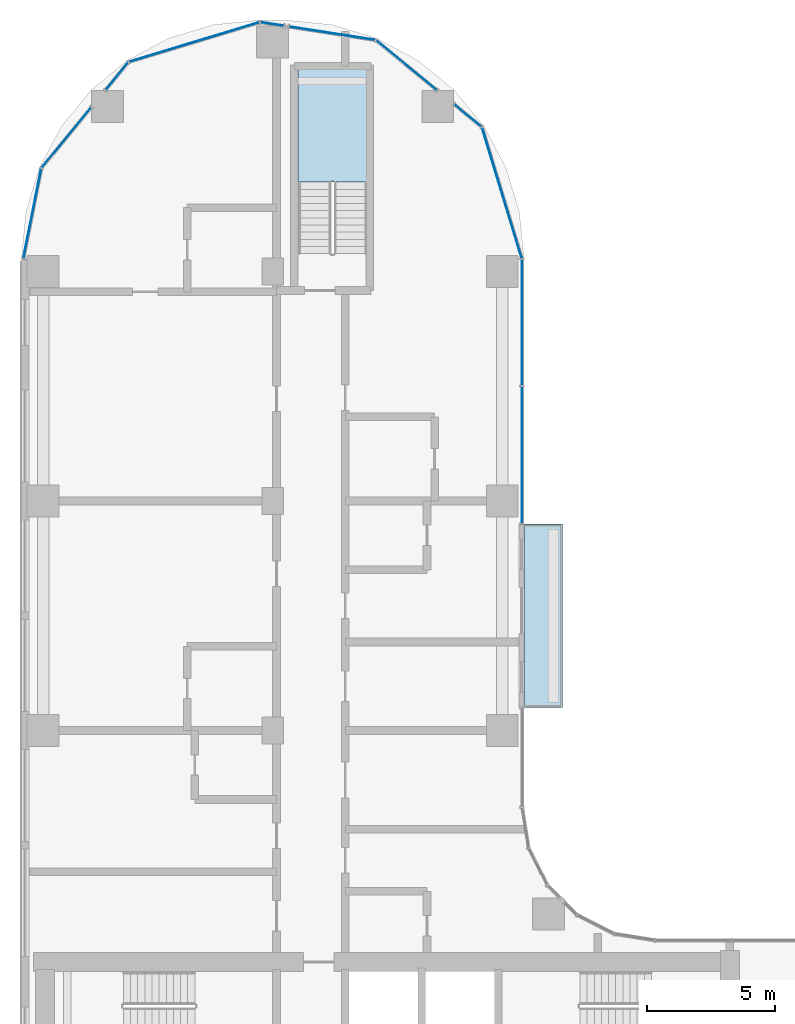
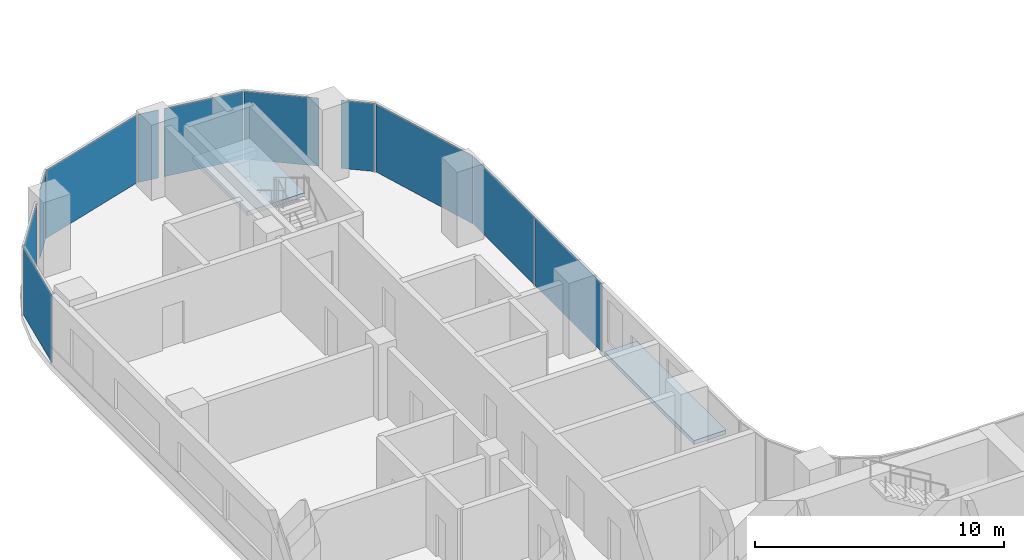
# One storey, part 16 of 35: 11 plates, 2 slabs, 6 elements without a shape of their own.
"""IFC4 building model written with IfcOpenShell, lengths in metres."""

from ifc_helpers import new_model, si_unit, direction, frame, origin, origin_2d, place, context, subcontext, project, spatial, polyline, rectangle, outline, extrude, material, layer, layer_set, type_object, element, aggregate, save


model = new_model("IFC4")

# Units and contexts
model_context = context("Model", 3, precision=1e-05, world=origin(), true_north=direction((0.0, 1.0)))
body_context = subcontext(model_context, "Body", "Model", "MODEL_VIEW")
ifc_project = project(units=[si_unit("LENGTHUNIT", "METRE"), si_unit("AREAUNIT", "SQUARE_METRE"), si_unit("VOLUMEUNIT", "CUBIC_METRE"), si_unit("PLANEANGLEUNIT", "RADIAN"), si_unit("MASSUNIT", "GRAM", prefix="KILO")], contexts=[model_context])

# Site, building, storey
site_placement = place(None, origin())
site = spatial("IfcSite", under=ifc_project, at=site_placement, CompositionType="ELEMENT")
building_placement = place(site_placement, origin())
building = spatial("IfcBuilding", under=site, at=building_placement, Name="Ogive Portal Towers", CompositionType="ELEMENT")
storey_placement = place(building_placement, frame((0.0, 0.0, 90.800048828125)))
storey = spatial("IfcBuildingStorey", under=building, at=storey_placement, Name="L21", CompositionType="ELEMENT", Elevation=90.800048828125)

# Slab
ifc_material_1 = material(Name="Concrete C40/50", Category="concrete")
ifc_layer_1 = layer(ifc_material_1, 0.199951171875)
ifc_layer_set_1 = layer_set([ifc_layer_1], Name="BALCONY SLAB 200")
slab_type_1 = type_object("IfcSlabType", Name="BALCONY SLAB 200", PredefinedType="FLOOR", material=ifc_layer_set_1)
slab_1_placement = place(storey_placement, frame((0.0, 0.0, -0.199951171875)))
element("IfcSlab", 1, at=slab_1_placement, inside=storey, type_object=slab_type_1, Name="Balcony S1", PredefinedType="FLOOR", context=body_context, shape_type="SweptSolid", body=[
    extrude(outline(polyline([(50.35498046875, 49.39990234375), (51.85498046875, 49.39990234375), (51.85498046875, 56.60009765625), (50.35498046875, 56.60009765625), (50.35498046875, 49.39990234375)])), origin(), (0.0, 0.0, 1.0), 0.199951171875),
])

# Curtain wall, plates
ifc_material_2 = material(Name="Glass, clear low-iron insulated glazing", Category="glass")
curtain_wall_type = type_object("IfcCurtainWallType", Name="CW FRONT RIBBON 4500", PredefinedType="NOTDEFINED", material=ifc_material_2)
curtain_wall_1_placement = place(storey_placement, origin())
curtain_wall_1 = element("IfcCurtainWall", 2, at=curtain_wall_1_placement, inside=storey, type_object=curtain_wall_type, Name="A:L21:f17:cw1", PredefinedType="NOTDEFINED")
ifc_layer_2 = layer(ifc_material_2, 0.028076171875)
ifc_layer_set_2 = layer_set([ifc_layer_2], Name="CW PANEL IGU 28")
plate_type = type_object("IfcPlateType", Name="CW PANEL IGU 28", PredefinedType="CURTAIN_PANEL", material=ifc_layer_set_2)
plate_1_placement = place(storey_placement, frame((50.27490234375, 59.29541015625, 0.0), z_axis=(0.0, 0.0, 1.0), x_axis=(0.0, 1.0, 0.0)))
plate_1 = element("IfcPlate", 3, at=plate_1_placement, type_object=plate_type, Name="panel", PredefinedType="CURTAIN_PANEL", context=body_context, shape_type="SweptSolid", body=[
    extrude(rectangle(XDim=5.34912109375, YDim=0.028076171875, at=origin_2d()), origin(), (0.0, 0.0, 1.0), 3.340087890625),
])
plate_2_placement = place(storey_placement, frame((50.27490234375, 64.494140625, 0.0), z_axis=(0.0, 0.0, 1.0), x_axis=(0.0, 1.0, 0.0)))
plate_2 = element("IfcPlate", 4, at=plate_2_placement, type_object=plate_type, Name="panel", PredefinedType="CURTAIN_PANEL", context=body_context, shape_type="SweptSolid", body=[
    extrude(rectangle(XDim=4.92822265625, YDim=0.028076171875, at=origin_2d()), origin(), (0.0, 0.0, 1.0), 3.340087890625),
])
aggregate(curtain_wall_1, [plate_1, plate_2])

curtain_wall_2_placement = place(storey_placement, origin())
curtain_wall_2 = element("IfcCurtainWall", 5, at=curtain_wall_2_placement, inside=storey, type_object=curtain_wall_type, Name="A:L21:f18:cwa~0", PredefinedType="NOTDEFINED")
plate_3_placement = place(storey_placement, frame((49.491943359375, 69.569580078125, 0.0), z_axis=(0.0, 0.0, 1.0), x_axis=(-0.290284677254, 0.956940335732, 0.0)))
plate_3 = element("IfcPlate", 6, at=plate_3_placement, type_object=plate_type, Name="panel", PredefinedType="CURTAIN_PANEL", context=body_context, shape_type="SweptSolid", body=[
    extrude(rectangle(XDim=5.335205078125, YDim=0.028076171875, at=origin_2d()), origin(), (0.0, 0.0, 1.0), 3.340087890625),
])
plate_4_placement = place(storey_placement, frame((48.153564453125, 72.606689453125, 0.0), z_axis=(0.0, 0.0, 1.0), x_axis=(-0.773010453363, 0.634393284164, 0.0)))
plate_4 = element("IfcPlate", 7, at=plate_4_placement, type_object=plate_type, Name="panel", PredefinedType="CURTAIN_PANEL", context=body_context, shape_type="SweptSolid", body=[
    extrude(rectangle(XDim=1.377197265625, YDim=0.028076171875, at=origin_2d()), origin(), (0.0, 0.0, 1.0), 3.340087890625),
])
aggregate(curtain_wall_2, [plate_3, plate_4])

curtain_wall_3_placement = place(storey_placement, origin())
curtain_wall_3 = element("IfcCurtainWall", 8, at=curtain_wall_3_placement, inside=storey, type_object=curtain_wall_type, Name="A:L21:f18:cwa~1", PredefinedType="NOTDEFINED")
plate_5_placement = place(storey_placement, frame((45.745849609375, 74.58251953125, 0.0), z_axis=(0.0, 0.0, 1.0), x_axis=(-0.773010453363, 0.634393284164, 0.0)))
plate_5 = element("IfcPlate", 9, at=plate_5_placement, type_object=plate_type, Name="panel", PredefinedType="CURTAIN_PANEL", context=body_context, shape_type="SweptSolid", body=[
    extrude(rectangle(XDim=3.0439453125, YDim=0.028076171875, at=origin_2d()), origin(), (0.0, 0.0, 1.0), 3.340087890625),
])
plate_6_placement = place(storey_placement, frame((42.83544921875, 75.833251953125, 0.0), z_axis=(0.0, 0.0, 1.0), x_axis=(-0.988127542509, 0.153635802256, 0.0)))
plate_6 = element("IfcPlate", 10, at=plate_6_placement, type_object=plate_type, Name="panel", PredefinedType="CURTAIN_PANEL", context=body_context, shape_type="SweptSolid", body=[
    extrude(rectangle(XDim=3.40234375, YDim=0.028076171875, at=origin_2d()), origin(), (0.0, 0.0, 1.0), 3.340087890625),
])
aggregate(curtain_wall_3, [plate_5, plate_6])

curtain_wall_4_placement = place(storey_placement, origin())
curtain_wall_4 = element("IfcCurtainWall", 11, at=curtain_wall_4_placement, inside=storey, type_object=curtain_wall_type, Name="A:L21:f18:cwa~2", PredefinedType="NOTDEFINED")
plate_7_placement = place(storey_placement, frame((40.482177734375, 76.198974609375, 0.0), z_axis=(0.0, 0.0, 1.0), x_axis=(-0.988127542509, 0.153635802256, 0.0)))
plate_7 = element("IfcPlate", 12, at=plate_7_placement, type_object=plate_type, Name="panel", PredefinedType="CURTAIN_PANEL", context=body_context, shape_type="SweptSolid", body=[
    extrude(rectangle(XDim=0.904296875, YDim=0.028076171875, at=origin_2d()), origin(), (0.0, 0.0, 1.0), 3.340087890625),
])
plate_8_placement = place(storey_placement, frame((37.427490234375, 75.490966796875, 0.0), z_axis=(0.0, 0.0, 1.0), x_axis=(-0.956940335732, -0.290284677254, 0.0)))
plate_8 = element("IfcPlate", 13, at=plate_8_placement, type_object=plate_type, Name="panel", PredefinedType="CURTAIN_PANEL", context=body_context, shape_type="SweptSolid", body=[
    extrude(rectangle(XDim=5.32861328125, YDim=0.028076171875, at=origin_2d()), origin(), (0.0, 0.0, 1.0), 3.340087890625),
])
plate_9_placement = place(storey_placement, frame((34.393310546875, 74.153564453125, 0.0), z_axis=(0.0, 0.0, 1.0), x_axis=(-0.634393284164, -0.773010453363, 0.0)))
plate_9 = element("IfcPlate", 14, at=plate_9_placement, type_object=plate_type, Name="panel", PredefinedType="CURTAIN_PANEL", context=body_context, shape_type="SweptSolid", body=[
    extrude(rectangle(XDim=1.377197265625, YDim=0.028076171875, at=origin_2d()), origin(), (0.0, 0.0, 1.0), 3.340087890625),
])
aggregate(curtain_wall_4, [plate_7, plate_8, plate_9])

curtain_wall_5_placement = place(storey_placement, origin())
curtain_wall_5 = element("IfcCurtainWall", 15, at=curtain_wall_5_placement, inside=storey, type_object=curtain_wall_type, Name="A:L21:f18:cwa~3", PredefinedType="NOTDEFINED")
plate_10_placement = place(storey_placement, frame((32.416748046875, 71.7451171875, 0.0), z_axis=(0.0, 0.0, 1.0), x_axis=(-0.634393284164, -0.773010453363, 0.0)))
plate_10 = element("IfcPlate", 16, at=plate_10_placement, type_object=plate_type, Name="panel", PredefinedType="CURTAIN_PANEL", context=body_context, shape_type="SweptSolid", body=[
    extrude(rectangle(XDim=3.0458984375, YDim=0.028076171875, at=origin_2d()), origin(), (0.0, 0.0, 1.0), 3.340087890625),
])
plate_11_placement = place(storey_placement, frame((31.078369140625, 68.768310546875, 0.0), z_axis=(0.0, 0.0, 1.0), x_axis=(-0.195090322016, -0.980785280403, 0.0)))
plate_11 = element("IfcPlate", 17, at=plate_11_placement, type_object=plate_type, Name="panel", PredefinedType="CURTAIN_PANEL", context=body_context, shape_type="SweptSolid", body=[
    extrude(rectangle(XDim=3.562255859375, YDim=0.028076171875, at=origin_2d()), origin(), (0.0, 0.0, 1.0), 3.340087890625),
])
aggregate(curtain_wall_5, [plate_10, plate_11])

# Stair, slab
stair_type = type_object("IfcStairType", Name="INT-STAIR", PredefinedType="HALF_TURN_STAIR", material=ifc_material_1)
stair_placement = place(storey_placement, origin())
stair = element("IfcStair", 18, at=stair_placement, inside=storey, type_object=stair_type, Name="L21 Exit Stair ST-A3", PredefinedType="HALF_TURN_STAIR")
ifc_layer_3 = layer(ifc_material_1, 0.199951171875)
ifc_layer_set_3 = layer_set([ifc_layer_3], Name="INT-LANDING")
slab_type_2 = type_object("IfcSlabType", Name="INT-LANDING", PredefinedType="LANDING", material=ifc_layer_set_3)
slab_2_placement = place(storey_placement, frame((0.0, 0.0, 1.64990234375)))
slab_2 = element("IfcSlab", 19, at=slab_2_placement, type_object=slab_type_2, Name="ST-A3 landing 1", PredefinedType="LANDING", context=body_context, shape_type="SweptSolid", body=[
    extrude(outline(polyline([(44.199951171875, 70.0), (44.199951171875, 74.449951171875), (41.5, 74.449951171875), (41.5, 70.0), (44.199951171875, 70.0)])), origin(), (0.0, 0.0, 1.0), 0.199951171875),
])
aggregate(stair, [slab_2])

save(model, "model.ifc")
